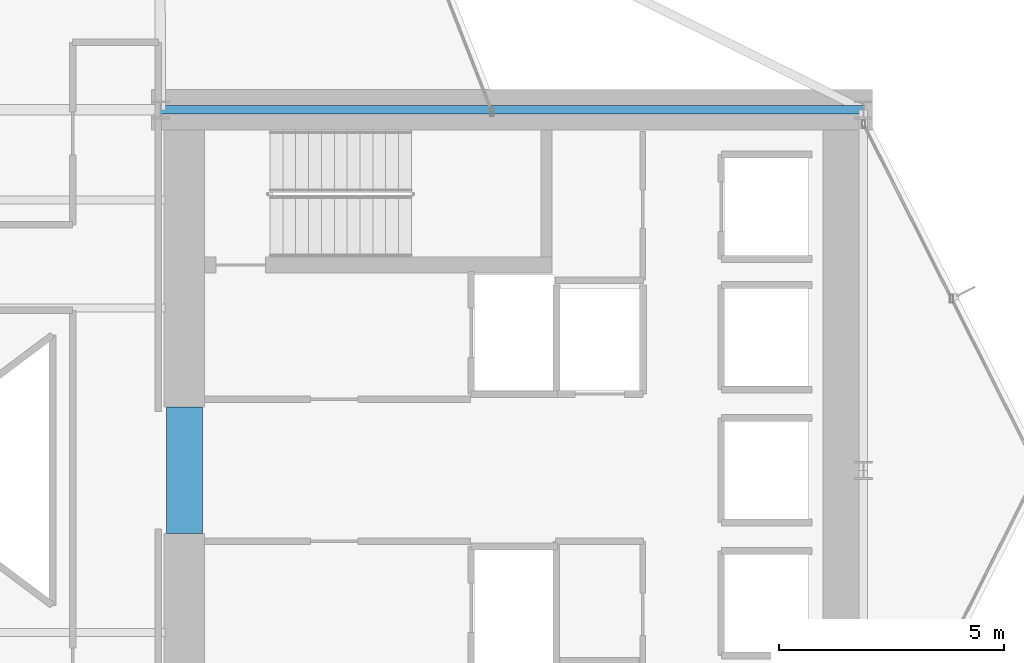
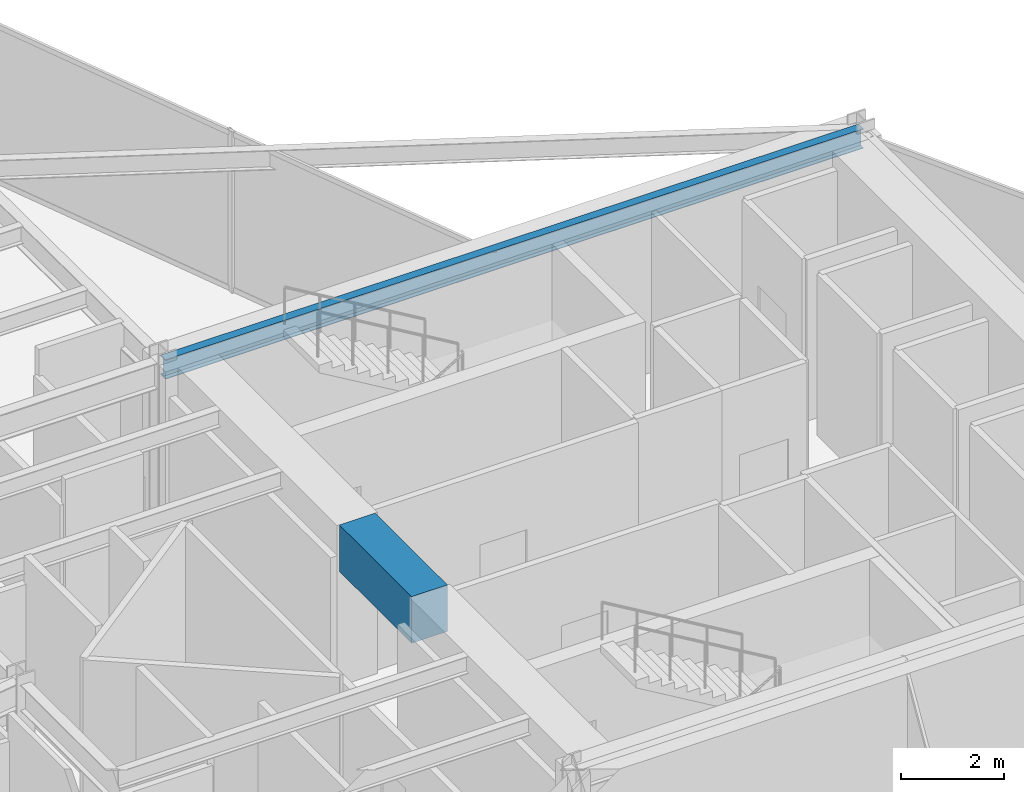
# One storey, part 17 of 30: 2 beams.
"""IFC4 building model written with IfcOpenShell, lengths in metres."""

import ifcopenshell
import ifcopenshell.guid

model = None  # the IFC model being written
_history = None  # IfcOwnerHistory: only IFC2X3 demands one
_inside = {}  # id of a spatial element -> (the spatial element, [elements in it])
_under = {}  # id of a project, library or spatial element -> (it, [spatial elements below it])
_declared = {}  # id of a project -> (the project, [libraries it declares])
_typed = {}  # id of a type object -> (the type object, [elements of that type])
_made_of = {}  # id of a material, layer set ... -> (it, [elements and type objects made of it])


def new_model(schema):
    """Start an empty IFC model of exactly this schema.

    Asked for "IFC4X3", IfcOpenShell would pick the latest addendum, in which some entities
    have other attributes; the version numbers below select the first issue.
    IFC2X3 requires an IfcOwnerHistory on every rooted entity: one is made here for all.
    """
    global model, _history
    if schema == "IFC4X3":
        model = ifcopenshell.file(schema_version=(4, 3, 0, 0))
    else:
        model = ifcopenshell.file(schema=schema)
    _inside.clear()
    _under.clear()
    _declared.clear()
    _typed.clear()
    _made_of.clear()
    _history = None
    if model.schema == "IFC2X3":
        org = make("IfcOrganization", Name="unknown")
        user = make(
            "IfcPersonAndOrganization",
            ThePerson=make("IfcPerson", FamilyName="unknown"),
            TheOrganization=org,
        )
        app = make(
            "IfcApplication",
            ApplicationDeveloper=org,
            Version="unknown",
            ApplicationFullName="unknown",
            ApplicationIdentifier="unknown",
        )
        _history = make(
            "IfcOwnerHistory",
            OwningUser=user,
            OwningApplication=app,
            ChangeAction="ADDED",
            CreationDate=0,
        )
    return model


def make(cls, **values):
    """One entity of the class cls with the attributes given. An attribute that is None is left unset."""
    return model.create_entity(
        cls, **{name: value for name, value in values.items() if value is not None}
    )


def rooted(cls, **values):
    """An entity with a GlobalId (a new one), such as an element, a storey or a relation."""
    return make(cls, GlobalId=ifcopenshell.guid.new(), OwnerHistory=_history, **values)


def si_unit(unit_type, name, prefix=None):
    """IfcSIUnit, for example si_unit("LENGTHUNIT", "METRE", prefix="MILLI")."""
    return make("IfcSIUnit", UnitType=unit_type, Prefix=prefix, Name=name)


def assignment(units):
    """IfcUnitAssignment: the units of a project."""
    return None if units is None else make("IfcUnitAssignment", Units=units)


def point(xyz):
    """IfcCartesianPoint."""
    return None if xyz is None else make("IfcCartesianPoint", Coordinates=xyz)


def direction(xyz):
    """IfcDirection."""
    return None if xyz is None else make("IfcDirection", DirectionRatios=xyz)


def frame(location, z_axis=None, x_axis=None):
    """IfcAxis2Placement3D, a coordinate frame: its origin and axes. An axis left out is left unset."""
    return make(
        "IfcAxis2Placement3D",
        Location=point(location),
        Axis=direction(z_axis),
        RefDirection=direction(x_axis),
    )


def frame_2d(location, x_axis=None):
    """IfcAxis2Placement2D, a coordinate frame in the plane: its origin and x axis."""
    return make(
        "IfcAxis2Placement2D", Location=point(location), RefDirection=direction(x_axis)
    )


def origin():
    """The frame at (0, 0, 0) with its axes left unset."""
    return frame((0.0, 0.0, 0.0))


def origin_2d():
    """The frame at (0, 0) in the plane with its x axis left unset."""
    return frame_2d((0.0, 0.0))


def place(relative_to, where):
    """IfcLocalPlacement: puts the frame where relative to a parent placement (None: the world)."""
    return make(
        "IfcLocalPlacement", PlacementRelTo=relative_to, RelativePlacement=where
    )


def context(
    kind, dimensions, precision=None, world=None, true_north=None, identifier=None
):
    """IfcGeometricRepresentationContext, for example the 3D "Model" context."""
    return make(
        "IfcGeometricRepresentationContext",
        ContextIdentifier=identifier,
        ContextType=kind,
        CoordinateSpaceDimension=dimensions,
        Precision=precision,
        WorldCoordinateSystem=world,
        TrueNorth=true_north,
    )


def subcontext(parent, identifier, kind, view, scale=None):
    """IfcGeometricRepresentationSubContext, for example "Body" below "Model"."""
    return make(
        "IfcGeometricRepresentationSubContext",
        ContextIdentifier=identifier,
        ContextType=kind,
        ParentContext=parent,
        TargetScale=scale,
        TargetView=view,
    )


def project(units=None, contexts=None):
    """IfcProject with its units and contexts."""
    return rooted(
        "IfcProject",
        Name="project",
        RepresentationContexts=contexts,
        UnitsInContext=assignment(units),
    )


def spatial(cls, under=None, at=None, **own):
    """A site, building, storey or space (cls), placed at a placement, below another one or the project."""
    s = rooted(cls, ObjectPlacement=at, **own)
    if under is not None:
        _under.setdefault(under.id(), (under, []))[1].append(s)
    return s


def profile(cls, at=None, kind="AREA", **sizes):
    """A parametric profile (cls). Its sizes go by their IFC names, for example OverallWidth=200.0."""
    return make(cls, ProfileType=kind, Position=at, **sizes)


def rectangle(**sizes):
    """IfcRectangleProfileDef."""
    return profile("IfcRectangleProfileDef", **sizes)


def i_section(**sizes):
    """IfcIShapeProfileDef."""
    return profile("IfcIShapeProfileDef", **sizes)


def extrude(swept, where, along, depth):
    """IfcExtrudedAreaSolid: the profile swept, set in the frame where, extruded along a direction by depth."""
    return make(
        "IfcExtrudedAreaSolid",
        SweptArea=swept,
        Position=where,
        ExtrudedDirection=direction(along),
        Depth=depth,
    )


def shape(context_of_items, identifier, shape_type, items):
    """IfcShapeRepresentation: the items that make up one representation, for example the "Body"."""
    return make(
        "IfcShapeRepresentation",
        ContextOfItems=context_of_items,
        RepresentationIdentifier=identifier,
        RepresentationType=shape_type,
        Items=items,
    )


def material(Name=None, Category=None):
    """IfcMaterial."""
    return make("IfcMaterial", Name=Name, Category=Category)


def material_profile(
    of_material, cross_section, Name=None, Category=None, Priority=None
):
    """IfcMaterialProfile: a cross section and its material."""
    return make(
        "IfcMaterialProfile",
        Name=Name,
        Material=of_material,
        Profile=cross_section,
        Priority=Priority,
        Category=Category,
    )


def profile_set(profiles, Name=None, composite=None):
    """IfcMaterialProfileSet."""
    return make(
        "IfcMaterialProfileSet",
        Name=Name,
        MaterialProfiles=profiles,
        CompositeProfile=composite,
    )


def made_of(thing, what):
    """Note that an element or type object is made of a material, layer set ...; save() writes the relation."""
    if what is not None:
        _made_of.setdefault(what.id(), (what, []))[1].append(thing)
    return thing


def type_object(cls, material=None, **own):
    """A type object (cls), such as IfcWallType, which elements share."""
    return made_of(rooted(cls, **own), material)


def element(
    cls,
    number,
    at=None,
    inside=None,
    cuts=None,
    type_object=None,
    material=None,
    context=None,
    identifier="Body",
    shape_type=None,
    held_by="IfcProductDefinitionShape",
    body=None,
    shapes=None,
    **own,
):
    """One element of the class cls, such as IfcWall. Its Tag is "e" and its number.

    at: its placement. inside: the storey or other place that contains it. cuts: it is an
    opening in that element (IfcRelVoidsElement). A single representation is given by context,
    identifier, shape_type and body (its items); several are given by shapes. held_by: the class
    of the entity that holds the representations. save() writes the other relations.
    """
    e = rooted(cls, Tag="e%d" % number, ObjectPlacement=at, **own)
    if body is not None:
        shapes = [shape(context, identifier, shape_type, body)]
    if shapes is not None:
        e.Representation = make(held_by, Representations=shapes)
    if inside is not None:
        _inside.setdefault(inside.id(), (inside, []))[1].append(e)
    if cuts is not None:
        rooted(
            "IfcRelVoidsElement", RelatingBuildingElement=cuts, RelatedOpeningElement=e
        )
    if type_object is not None:
        _typed.setdefault(type_object.id(), (type_object, []))[1].append(e)
    return made_of(e, material)


def aggregate(whole, parts):
    """IfcRelAggregates: a whole, such as a stair, and the parts it consists of."""
    return rooted("IfcRelAggregates", RelatingObject=whole, RelatedObjects=parts)


def save(model, path):
    """Write the relations noted so far, then the file.

    IfcRelAggregates (storeys below a building ...), IfcRelContainedInSpatialStructure (elements
    in a storey), IfcRelDefinesByType, IfcRelAssociatesMaterial and IfcRelDeclares: one each for
    every whole, place, type object, material and project.
    """
    for whole, parts in _under.values():
        aggregate(whole, parts)
    for where, things in _inside.values():
        rooted(
            "IfcRelContainedInSpatialStructure",
            RelatedElements=things,
            RelatingStructure=where,
        )
    for kind, things in _typed.values():
        rooted("IfcRelDefinesByType", RelatedObjects=things, RelatingType=kind)
    for what, things in _made_of.values():
        rooted("IfcRelAssociatesMaterial", RelatedObjects=things, RelatingMaterial=what)
    for by, libraries in _declared.values():
        rooted("IfcRelDeclares", RelatingContext=by, RelatedDefinitions=libraries)
    model.write(path)


model = new_model("IFC4")

# Units and contexts
model_context = context("Model", 3, precision=1e-05, world=origin(), true_north=direction((0.0, 1.0)))
body_context = subcontext(model_context, "Body", "Model", "MODEL_VIEW")
ifc_project = project(units=[si_unit("LENGTHUNIT", "METRE"), si_unit("AREAUNIT", "SQUARE_METRE"), si_unit("VOLUMEUNIT", "CUBIC_METRE"), si_unit("PLANEANGLEUNIT", "RADIAN"), si_unit("MASSUNIT", "GRAM", prefix="KILO")], contexts=[model_context])

# Site, building, storey
site_placement = place(None, origin())
site = spatial("IfcSite", under=ifc_project, at=site_placement, CompositionType="ELEMENT")
building_placement = place(site_placement, origin())
building = spatial("IfcBuilding", under=site, at=building_placement, Name="Veymaron Broadcast Tower", CompositionType="ELEMENT")
storey_placement = place(building_placement, frame((0.0, 0.0, 49.949951171875)))
storey = spatial("IfcBuildingStorey", under=building, at=storey_placement, Name="L10", CompositionType="ELEMENT", Elevation=49.949951171875)

# Beams
ifc_material_1 = material(Name="Concrete C70/85", Category="concrete")
ifc_material_profile_1 = material_profile(ifc_material_1, rectangle(XDim=0.800048828125, YDim=1.10009765625, at=origin_2d()), Name="RC800X1100")
ifc_profile_set_1 = profile_set([ifc_material_profile_1], Name="Concrete C70/85")
beam_type_1 = type_object("IfcBeamType", Name="BM-CB1", PredefinedType="LINTEL", material=ifc_profile_set_1)
beam_1_placement = place(storey_placement, frame((39.530029296875, 22.60009765625, 3.260009765625), z_axis=(0.0, 1.0, 0.0), x_axis=(-1.0, 0.0, 0.0)))
element("IfcBeam", 1, at=beam_1_placement, inside=storey, type_object=beam_type_1, Name="L10 Core Wall west coupling beam", PredefinedType="LINTEL", context=body_context, shape_type="SweptSolid", body=[
    extrude(rectangle(XDim=0.800048828125, YDim=1.10009765625, at=origin_2d()), origin(), (0.0, 0.0, 1.0), 2.7998046875),
])
ifc_material_2 = material(Name="Structural steel ASTM A992 Gr 50", Category="steel")
ifc_material_profile_2 = material_profile(ifc_material_2, i_section(OverallWidth=0.19091796875, OverallDepth=0.4599609375, WebThickness=0.010009765625, FlangeThickness=0.01611328125, at=origin_2d()), Name="W460X82")
ifc_profile_set_2 = profile_set([ifc_material_profile_2], Name="Structural steel ASTM A992 Gr 50")
beam_type_2 = type_object("IfcBeamType", Name="BM-SP1", PredefinedType="SPANDREL", material=ifc_profile_set_2)
beam_2_placement = place(storey_placement, frame((39.0, 32.0, 3.580078125), z_axis=(1.0, 0.0, 0.0), x_axis=(0.0, 1.0, 0.0)))
element("IfcBeam", 2, at=beam_2_placement, inside=storey, type_object=beam_type_2, Name="L10 primary structural floor girder", PredefinedType="SPANDREL", context=body_context, shape_type="SweptSolid", body=[
    extrude(i_section(OverallWidth=0.19091796875, OverallDepth=0.4599609375, WebThickness=0.010009765625, FlangeThickness=0.01611328125, at=origin_2d()), origin(), (0.0, 0.0, 1.0), 15.60009765625),
])

save(model, "model.ifc")
